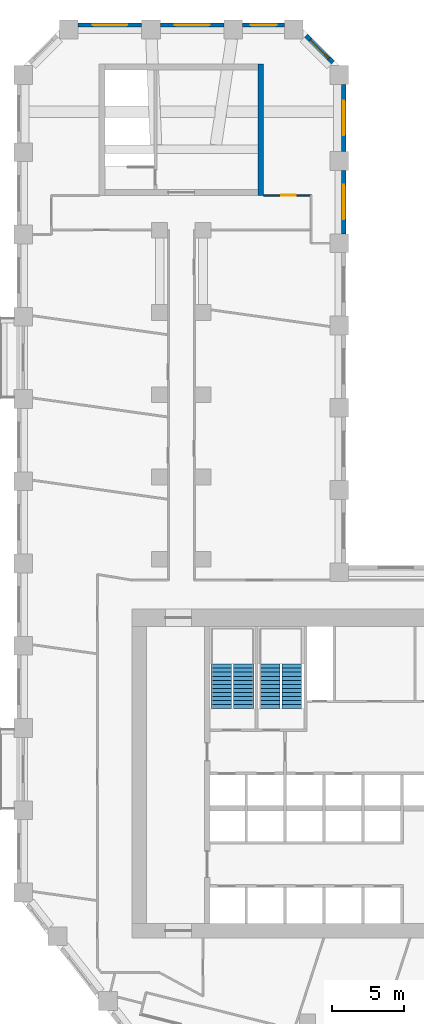
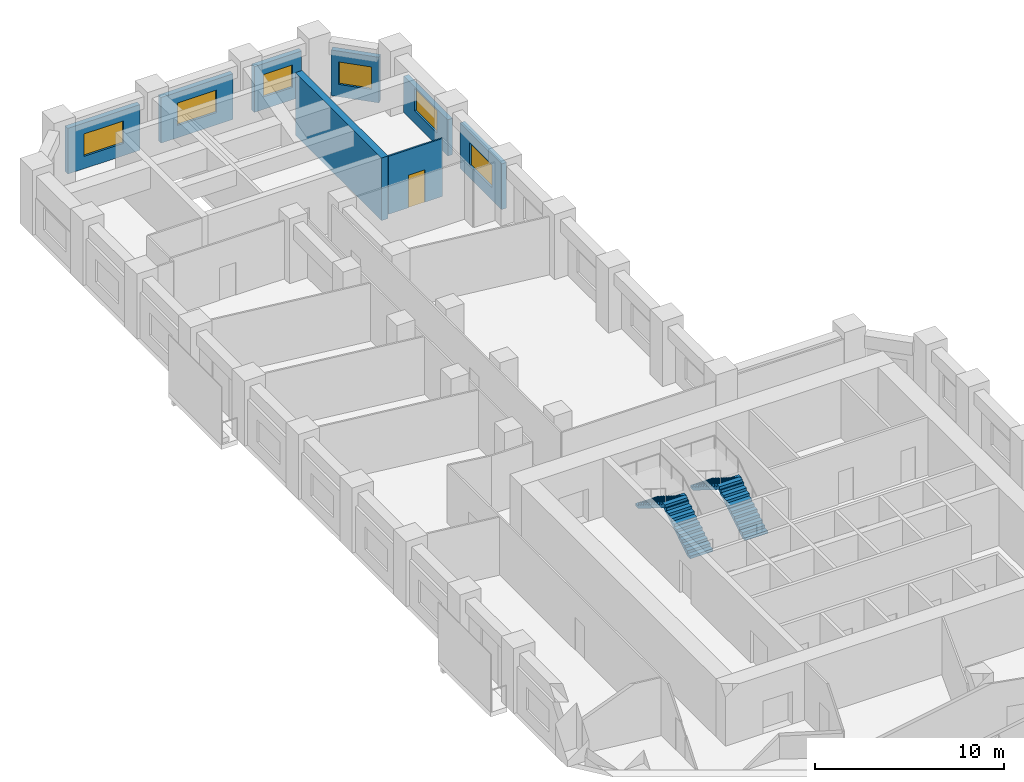
# One storey, part 9 of 11: 8 walls, 6 windows, 4 stair flights, 1 door, 7 openings, 2 elements without a shape of their own.
"""IFC4 building model written with IfcOpenShell, lengths in metres."""

from ifc_helpers import new_model, si_unit, direction, frame, frame_2d, origin, place, context, subcontext, project, spatial, polyline, rectangle, outline, extrude, material, layer, layer_set, type_object, element, fill, aggregate, save


model = new_model("IFC4")

# Units and contexts
model_context = context("Model", 3, precision=1e-05, world=origin(), true_north=direction((0.0, 1.0)))
body_context = subcontext(model_context, "Body", "Model", "MODEL_VIEW")
ifc_project = project(units=[si_unit("LENGTHUNIT", "METRE"), si_unit("AREAUNIT", "SQUARE_METRE"), si_unit("VOLUMEUNIT", "CUBIC_METRE"), si_unit("PLANEANGLEUNIT", "RADIAN"), si_unit("MASSUNIT", "GRAM", prefix="KILO")], contexts=[model_context])

# Site, building, storey
site_placement = place(None, origin())
site = spatial("IfcSite", under=ifc_project, at=site_placement, CompositionType="ELEMENT")
building_placement = place(site_placement, origin())
building = spatial("IfcBuilding", under=site, at=building_placement, Name="Meshkara Civic Tower", CompositionType="ELEMENT")
storey_placement = place(building_placement, frame((0.0, 0.0, 151.800048828125)))
storey = spatial("IfcBuildingStorey", under=building, at=storey_placement, Name="L34", CompositionType="ELEMENT", Elevation=151.800048828125)

# Wall, opening, door
ifc_material_1 = material(Name="Corridor wall 100")
ifc_layer_1 = layer(ifc_material_1, 0.10009765625)
ifc_layer_set_1 = layer_set([ifc_layer_1], Name="Corridor wall 100")
wall_type_1 = type_object("IfcWallType", Name="Corridor wall 100", PredefinedType="PARTITIONING", material=ifc_layer_set_1)
wall_1_placement = place(storey_placement, frame((20.39990234375, 65.570068359375, 0.0), z_axis=(0.0, 0.0, 1.0), x_axis=(-1.0, 0.0, 0.0)))
wall_1 = element("IfcWall", 1, at=wall_1_placement, inside=storey, type_object=wall_type_1, Name="L34-W018", PredefinedType="PARTITIONING", context=body_context, shape_type="SweptSolid", body=[
    extrude(rectangle(XDim=3.2998046875, YDim=0.10009765625, at=frame_2d((1.64990234375, 0.0))), origin(), (0.0, 0.0, 1.0), 3.75),
])
opening_1_placement = place(wall_1_placement, frame((1.080078125, 0.0, 0.0)))
opening_1 = element("IfcOpeningElement", 2, at=opening_1_placement, cuts=wall_1, Name="Opening L34-D026", PredefinedType="OPENING", context=body_context, shape_type="SweptSolid", body=[
    extrude(rectangle(XDim=1.0, YDim=2.10009765625, at=frame_2d((0.5, 1.050048828125))), frame((0.0, 0.06005859375, 0.0), z_axis=(0.0, -1.0, 0.0), x_axis=(1.0, 0.0, 0.0)), (0.0, 0.0, 1.0), 0.1201171875),
])
ifc_material_2 = material(Name="Door 1000 x 2100")
door_type = type_object("IfcDoorType", Name="Door 1000 x 2100", OperationType="SINGLE_SWING_LEFT", PredefinedType="DOOR", material=ifc_material_2)
door_placement = place(opening_1_placement, origin())
door = element("IfcDoor", 3, at=door_placement, inside=storey, type_object=door_type, Name="L34-D026", OperationType="SINGLE_SWING_RIGHT", OverallHeight=2.10009765625, OverallWidth=1.0, PredefinedType="DOOR", context=body_context, shape_type="SweptSolid", body=[
    extrude(rectangle(XDim=1.0, YDim=2.10009765625, at=frame_2d((0.5, 1.050048828125))), frame((0.0, 0.02490234375, 0.0), z_axis=(0.0, -1.0, 0.0), x_axis=(1.0, 0.0, 0.0)), (0.0, 0.0, 1.0), 0.050048828125),
])
fill(opening_1, door)

# Wall, opening, window
ifc_material_3 = material(Name="Insulated infill panel with bronze anodised aluminium cladding", Category="aluminium")
ifc_layer_2 = layer(ifc_material_3, 0.300048828125)
ifc_layer_set_2 = layer_set([ifc_layer_2], Name="EXTERNAL INFILL WALL 300")
wall_type_2 = type_object("IfcWallType", Name="EXTERNAL INFILL WALL 300", PredefinedType="SOLIDWALL", material=ifc_layer_set_2)
wall_2_placement = place(storey_placement, frame((22.64990234375, 62.89990234375, 0.0), z_axis=(0.0, 0.0, 1.0), x_axis=(0.0, 1.0, 0.0)))
wall_2 = element("IfcWall", 4, at=wall_2_placement, inside=storey, type_object=wall_type_2, Name="External wall", PredefinedType="SOLIDWALL", context=body_context, shape_type="SweptSolid", body=[
    extrude(rectangle(XDim=4.400146484375, YDim=0.300048828125, at=frame_2d((2.2001953125, 0.0))), origin(), (0.0, 0.0, 1.0), 2.949951171875),
])
opening_2_placement = place(wall_2_placement, frame((1.0, 0.0, 0.800048828125)))
opening_2 = element("IfcOpeningElement", 5, at=opening_2_placement, cuts=wall_2, Name="Opening W8", PredefinedType="OPENING", context=body_context, shape_type="SweptSolid", body=[
    extrude(rectangle(XDim=2.39990234375, YDim=1.449951171875, at=frame_2d((1.199951171875, 0.72509765625))), frame((0.0, 0.159912109375, 0.0), z_axis=(0.0, -1.0, 0.0), x_axis=(1.0, 0.0, 0.0)), (0.0, 0.0, 1.0), 0.320068359375),
])
ifc_material_4 = material(Name="Tinted double glazing", Category="glass")
window_type_1 = type_object("IfcWindowType", Name="WINDOW 2400x1450", PartitioningType="DOUBLE_PANEL_VERTICAL", PredefinedType="WINDOW", material=ifc_material_4)
window_1_placement = place(opening_2_placement, origin())
window_1 = element("IfcWindow", 6, at=window_1_placement, inside=storey, type_object=window_type_1, Name="Window", OverallHeight=1.449951171875, OverallWidth=2.39990234375, PartitioningType="DOUBLE_PANEL_VERTICAL", PredefinedType="WINDOW", context=body_context, shape_type="SweptSolid", body=[
    extrude(rectangle(XDim=2.39990234375, YDim=1.449951171875, at=frame_2d((1.199951171875, 0.72509765625))), frame((0.0, 0.030029296875, 0.0), z_axis=(0.0, -1.0, 0.0), x_axis=(1.0, 0.0, 0.0)), (0.0, 0.0, 1.0), 0.06005859375),
])
fill(opening_2, window_1)

wall_3_placement = place(storey_placement, frame((22.64990234375, 68.60009765625, 0.0), z_axis=(0.0, 0.0, 1.0), x_axis=(0.0, 1.0, 0.0)))
wall_3 = element("IfcWall", 7, at=wall_3_placement, inside=storey, type_object=wall_type_2, Name="External wall", PredefinedType="SOLIDWALL", context=body_context, shape_type="SweptSolid", body=[
    extrude(rectangle(XDim=4.663818359375, YDim=0.300048828125, at=frame_2d((2.33203125, 0.0))), origin(), (0.0, 0.0, 1.0), 2.349853515625),
])
opening_3_placement = place(wall_3_placement, frame((1.132080078125, 0.0, 0.800048828125)))
opening_3 = element("IfcOpeningElement", 8, at=opening_3_placement, cuts=wall_3, Name="Opening W8", PredefinedType="OPENING", context=body_context, shape_type="SweptSolid", body=[
    extrude(rectangle(XDim=2.39990234375, YDim=1.449951171875, at=frame_2d((1.199951171875, 0.72509765625))), frame((0.0, 0.159912109375, 0.0), z_axis=(0.0, -1.0, 0.0), x_axis=(1.0, 0.0, 0.0)), (0.0, 0.0, 1.0), 0.320068359375),
])
window_2_placement = place(opening_3_placement, origin())
window_2 = element("IfcWindow", 9, at=window_2_placement, inside=storey, type_object=window_type_1, Name="Window", OverallHeight=1.449951171875, OverallWidth=2.39990234375, PartitioningType="DOUBLE_PANEL_VERTICAL", PredefinedType="WINDOW", context=body_context, shape_type="SweptSolid", body=[
    extrude(rectangle(XDim=2.39990234375, YDim=1.449951171875, at=frame_2d((1.199951171875, 0.72509765625))), frame((0.0, 0.030029296875, 0.0), z_axis=(0.0, -1.0, 0.0), x_axis=(1.0, 0.0, 0.0)), (0.0, 0.0, 1.0), 0.06005859375),
])
fill(opening_3, window_2)

wall_4_placement = place(storey_placement, frame((21.912109375, 74.77587890625, 0.0), z_axis=(0.0, 0.0, 1.0), x_axis=(-0.707106781187, 0.707106781187, 0.0)))
wall_4 = element("IfcWall", 10, at=wall_4_placement, inside=storey, type_object=wall_type_2, Name="External wall", PredefinedType="SOLIDWALL", context=body_context, shape_type="SweptSolid", body=[
    extrude(rectangle(XDim=2.625, YDim=0.300048828125, at=frame_2d((1.3125, 0.0))), origin(), (0.0, 0.0, 1.0), 2.949951171875),
])
opening_4_placement = place(wall_4_placement, frame((0.412109375, 0.0, 0.800048828125)))
opening_4 = element("IfcOpeningElement", 11, at=opening_4_placement, cuts=wall_4, Name="Opening W10", PredefinedType="OPENING", context=body_context, shape_type="SweptSolid", body=[
    extrude(rectangle(XDim=1.800048828125, YDim=1.449951171875, at=frame_2d((0.89990234375, 0.72509765625))), frame((0.0, 0.159912109375, 0.0), z_axis=(0.0, -1.0, 0.0), x_axis=(1.0, 0.0, 0.0)), (0.0, 0.0, 1.0), 0.320068359375),
])
ifc_material_5 = material(Name="Tinted double glazing", Category="glass")
window_type_2 = type_object("IfcWindowType", Name="WINDOW 1800x1450", PartitioningType="DOUBLE_PANEL_VERTICAL", PredefinedType="WINDOW", material=ifc_material_5)
window_3_placement = place(opening_4_placement, origin())
window_3 = element("IfcWindow", 12, at=window_3_placement, inside=storey, type_object=window_type_2, Name="Window", OverallHeight=1.449951171875, OverallWidth=1.800048828125, PartitioningType="DOUBLE_PANEL_VERTICAL", PredefinedType="WINDOW", context=body_context, shape_type="SweptSolid", body=[
    extrude(rectangle(XDim=1.800048828125, YDim=1.449951171875, at=frame_2d((0.89990234375, 0.72509765625))), frame((0.0, 0.030029296875, 0.0), z_axis=(0.0, -1.0, 0.0), x_axis=(1.0, 0.0, 0.0)), (0.0, 0.0, 1.0), 0.06005859375),
])
fill(opening_4, window_3)

wall_5_placement = place(storey_placement, frame((18.5439453125, 77.3701171875, 0.0), z_axis=(0.0, 0.0, 1.0), x_axis=(-1.0, 0.0, 0.0)))
wall_5 = element("IfcWall", 13, at=wall_5_placement, inside=storey, type_object=wall_type_2, Name="External wall", PredefinedType="SOLIDWALL", context=body_context, shape_type="SweptSolid", body=[
    extrude(rectangle(XDim=2.887939453125, YDim=0.300048828125, at=frame_2d((1.44384765625, 0.0))), origin(), (0.0, 0.0, 1.0), 2.949951171875),
])
opening_5_placement = place(wall_5_placement, frame((0.5439453125, 0.0, 0.800048828125)))
opening_5 = element("IfcOpeningElement", 14, at=opening_5_placement, cuts=wall_5, Name="Opening W10", PredefinedType="OPENING", context=body_context, shape_type="SweptSolid", body=[
    extrude(rectangle(XDim=1.800048828125, YDim=1.449951171875, at=frame_2d((0.89990234375, 0.72509765625))), frame((0.0, 0.159912109375, 0.0), z_axis=(0.0, -1.0, 0.0), x_axis=(1.0, 0.0, 0.0)), (0.0, 0.0, 1.0), 0.320068359375),
])
window_4_placement = place(opening_5_placement, origin())
window_4 = element("IfcWindow", 15, at=window_4_placement, inside=storey, type_object=window_type_2, Name="Window", OverallHeight=1.449951171875, OverallWidth=1.800048828125, PartitioningType="DOUBLE_PANEL_VERTICAL", PredefinedType="WINDOW", context=body_context, shape_type="SweptSolid", body=[
    extrude(rectangle(XDim=1.800048828125, YDim=1.449951171875, at=frame_2d((0.89990234375, 0.72509765625))), frame((0.0, 0.030029296875, 0.0), z_axis=(0.0, -1.0, 0.0), x_axis=(1.0, 0.0, 0.0)), (0.0, 0.0, 1.0), 0.06005859375),
])
fill(opening_5, window_4)

wall_6_placement = place(storey_placement, frame((14.35595703125, 77.3701171875, 0.0), z_axis=(0.0, 0.0, 1.0), x_axis=(-1.0, 0.0, 0.0)))
wall_6 = element("IfcWall", 16, at=wall_6_placement, inside=storey, type_object=wall_type_2, Name="External wall", PredefinedType="SOLIDWALL", context=body_context, shape_type="SweptSolid", body=[
    extrude(rectangle(XDim=4.39990234375, YDim=0.300048828125, at=frame_2d((2.199951171875, 0.0))), origin(), (0.0, 0.0, 1.0), 2.949951171875),
])
opening_6_placement = place(wall_6_placement, frame((1.0, 0.0, 0.800048828125)))
opening_6 = element("IfcOpeningElement", 17, at=opening_6_placement, cuts=wall_6, Name="Opening W8", PredefinedType="OPENING", context=body_context, shape_type="SweptSolid", body=[
    extrude(rectangle(XDim=2.39990234375, YDim=1.449951171875, at=frame_2d((1.199951171875, 0.72509765625))), frame((0.0, 0.159912109375, 0.0), z_axis=(0.0, -1.0, 0.0), x_axis=(1.0, 0.0, 0.0)), (0.0, 0.0, 1.0), 0.320068359375),
])
window_5_placement = place(opening_6_placement, origin())
window_5 = element("IfcWindow", 18, at=window_5_placement, inside=storey, type_object=window_type_1, Name="Window", OverallHeight=1.449951171875, OverallWidth=2.39990234375, PartitioningType="DOUBLE_PANEL_VERTICAL", PredefinedType="WINDOW", context=body_context, shape_type="SweptSolid", body=[
    extrude(rectangle(XDim=2.39990234375, YDim=1.449951171875, at=frame_2d((1.199951171875, 0.72509765625))), frame((0.0, 0.030029296875, 0.0), z_axis=(0.0, -1.0, 0.0), x_axis=(1.0, 0.0, 0.0)), (0.0, 0.0, 1.0), 0.06005859375),
])
fill(opening_6, window_5)

wall_7_placement = place(storey_placement, frame((8.656005859375, 77.3701171875, 0.0), z_axis=(0.0, 0.0, 1.0), x_axis=(-1.0, 0.0, 0.0)))
wall_7 = element("IfcWall", 19, at=wall_7_placement, inside=storey, type_object=wall_type_2, Name="External wall", PredefinedType="SOLIDWALL", context=body_context, shape_type="SweptSolid", body=[
    extrude(rectangle(XDim=4.39990234375, YDim=0.300048828125, at=frame_2d((2.199951171875, 0.0))), origin(), (0.0, 0.0, 1.0), 2.949951171875),
])
opening_7_placement = place(wall_7_placement, frame((1.0, 0.0, 0.800048828125)))
opening_7 = element("IfcOpeningElement", 20, at=opening_7_placement, cuts=wall_7, Name="Opening W8", PredefinedType="OPENING", context=body_context, shape_type="SweptSolid", body=[
    extrude(rectangle(XDim=2.39990234375, YDim=1.449951171875, at=frame_2d((1.199951171875, 0.72509765625))), frame((0.0, 0.159912109375, 0.0), z_axis=(0.0, -1.0, 0.0), x_axis=(1.0, 0.0, 0.0)), (0.0, 0.0, 1.0), 0.320068359375),
])
window_6_placement = place(opening_7_placement, origin())
window_6 = element("IfcWindow", 21, at=window_6_placement, inside=storey, type_object=window_type_1, Name="Window", OverallHeight=1.449951171875, OverallWidth=2.39990234375, PartitioningType="DOUBLE_PANEL_VERTICAL", PredefinedType="WINDOW", context=body_context, shape_type="SweptSolid", body=[
    extrude(rectangle(XDim=2.39990234375, YDim=1.449951171875, at=frame_2d((1.199951171875, 0.72509765625))), frame((0.0, 0.030029296875, 0.0), z_axis=(0.0, -1.0, 0.0), x_axis=(1.0, 0.0, 0.0)), (0.0, 0.0, 1.0), 0.06005859375),
])
fill(opening_7, window_6)

# Wall
ifc_material_6 = material(Name="Concrete C70", Category="concrete")
ifc_layer_3 = layer(ifc_material_6, 0.39990234375)
ifc_layer_set_3 = layer_set([ifc_layer_3], Name="End core ring wall 400 C70")
wall_type_3 = type_object("IfcWallType", Name="End core ring wall 400 C70", PredefinedType="SHEAR", material=ifc_layer_set_3)
wall_8_placement = place(storey_placement, frame((16.89990234375, 65.570068359375, -0.300048828125), z_axis=(0.0, 0.0, 1.0), x_axis=(0.0, 1.0, 0.0)))
element("IfcWall", 22, at=wall_8_placement, inside=storey, type_object=wall_type_3, Name="L34-C027", PredefinedType="SHEAR", context=body_context, shape_type="SweptSolid", body=[
    extrude(rectangle(XDim=9.099853515625, YDim=0.39990234375, at=frame_2d((4.5498046875, 0.0))), origin(), (0.0, 0.0, 1.0), 4.050048828125),
])

# Stair, stair flights
ifc_material_7 = material(Name="Precast concrete C40/50", Category="concrete")
stair_type = type_object("IfcStairType", Name="Exit stair half-turn 24 risers precast", PredefinedType="HALF_TURN_STAIR", material=ifc_material_7)
stair_1_placement = place(storey_placement, origin())
stair_1 = element("IfcStair", 23, at=stair_1_placement, inside=storey, type_object=stair_type, Name="L34 exit stair 1", PredefinedType="HALF_TURN_STAIR")
ifc_material_8 = material(Name="Precast concrete C40/50", Category="concrete")
stair_flight_type = type_object("IfcStairFlightType", Name="Exit stair flight 12 risers precast", PredefinedType="STRAIGHT", material=ifc_material_8)
stair_flight_1_placement = place(storey_placement, frame((15.72509765625, 30.0, 0.0), z_axis=(0.0, 0.0, 1.0), x_axis=(0.0, 1.0, 0.0)))
stair_flight_1 = element("IfcStairFlight", 24, at=stair_flight_1_placement, type_object=stair_flight_type, Name="ST1 flight 1", NumberOfRisers=12, NumberOfTreads=11, PredefinedType="STRAIGHT", RiserHeight=0.175, TreadLength=0.28, context=body_context, shape_type="SweptSolid", body=[
    extrude(outline(polyline([(0.0, 0.0), (0.0, 0.175048828125), (0.280029296875, 0.175048828125), (0.280029296875, 0.35009765625), (0.56005859375, 0.35009765625), (0.56005859375, 0.52490234375), (0.840087890625, 0.52490234375), (0.840087890625, 0.699951171875), (1.1201171875, 0.699951171875), (1.1201171875, 0.875), (1.39990234375, 0.875), (1.39990234375, 1.050048828125), (1.679931640625, 1.050048828125), (1.679931640625, 1.22509765625), (1.9599609375, 1.22509765625), (1.9599609375, 1.39990234375), (2.239990234375, 1.39990234375), (2.239990234375, 1.574951171875), (2.52001953125, 1.574951171875), (2.52001953125, 1.75), (2.800048828125, 1.75), (2.800048828125, 1.925048828125), (3.080078125, 1.925048828125), (3.080078125, 2.10009765625), (3.080078125, 1.748291015625), (0.28271484375, 0.0), (0.0, 0.0)])), frame((0.0, 0.699951171875, 0.0), z_axis=(0.0, -1.0, 0.0), x_axis=(1.0, 0.0, 0.0)), (0.0, 0.0, 1.0), 1.39990234375),
])
stair_flight_2_placement = place(storey_placement, frame((14.175048828125, 33.080078125, 2.099853515625), z_axis=(0.0, 0.0, 1.0), x_axis=(0.0, -1.0, 0.0)))
stair_flight_2 = element("IfcStairFlight", 25, at=stair_flight_2_placement, type_object=stair_flight_type, Name="ST1 flight 2", NumberOfRisers=12, NumberOfTreads=11, PredefinedType="STRAIGHT", RiserHeight=0.175, TreadLength=0.28, context=body_context, shape_type="SweptSolid", body=[
    extrude(outline(polyline([(0.0, 0.0), (0.0, 0.175048828125), (0.280029296875, 0.175048828125), (0.280029296875, 0.35009765625), (0.56005859375, 0.35009765625), (0.56005859375, 0.52490234375), (0.840087890625, 0.52490234375), (0.840087890625, 0.699951171875), (1.1201171875, 0.699951171875), (1.1201171875, 0.875), (1.39990234375, 0.875), (1.39990234375, 1.050048828125), (1.679931640625, 1.050048828125), (1.679931640625, 1.22509765625), (1.9599609375, 1.22509765625), (1.9599609375, 1.39990234375), (2.239990234375, 1.39990234375), (2.239990234375, 1.574951171875), (2.52001953125, 1.574951171875), (2.52001953125, 1.75), (2.800048828125, 1.75), (2.800048828125, 1.925048828125), (3.080078125, 1.925048828125), (3.080078125, 2.10009765625), (3.080078125, 1.748291015625), (0.28271484375, 0.0), (0.0, 0.0)])), frame((0.0, 0.699951171875, 0.0), z_axis=(0.0, -1.0, 0.0), x_axis=(1.0, 0.0, 0.0)), (0.0, 0.0, 1.0), 1.39990234375),
])
aggregate(stair_1, [stair_flight_1, stair_flight_2])

stair_2_placement = place(storey_placement, origin())
stair_2 = element("IfcStair", 26, at=stair_2_placement, inside=storey, type_object=stair_type, Name="L34 exit stair 2", PredefinedType="HALF_TURN_STAIR")
stair_flight_3_placement = place(storey_placement, frame((19.074951171875, 30.0, 0.0), z_axis=(0.0, 0.0, 1.0), x_axis=(0.0, 1.0, 0.0)))
stair_flight_3 = element("IfcStairFlight", 27, at=stair_flight_3_placement, type_object=stair_flight_type, Name="ST2 flight 1", NumberOfRisers=12, NumberOfTreads=11, PredefinedType="STRAIGHT", RiserHeight=0.175, TreadLength=0.28, context=body_context, shape_type="SweptSolid", body=[
    extrude(outline(polyline([(0.0, 0.0), (0.0, 0.175048828125), (0.280029296875, 0.175048828125), (0.280029296875, 0.35009765625), (0.56005859375, 0.35009765625), (0.56005859375, 0.52490234375), (0.840087890625, 0.52490234375), (0.840087890625, 0.699951171875), (1.1201171875, 0.699951171875), (1.1201171875, 0.875), (1.39990234375, 0.875), (1.39990234375, 1.050048828125), (1.679931640625, 1.050048828125), (1.679931640625, 1.22509765625), (1.9599609375, 1.22509765625), (1.9599609375, 1.39990234375), (2.239990234375, 1.39990234375), (2.239990234375, 1.574951171875), (2.52001953125, 1.574951171875), (2.52001953125, 1.75), (2.800048828125, 1.75), (2.800048828125, 1.925048828125), (3.080078125, 1.925048828125), (3.080078125, 2.10009765625), (3.080078125, 1.748291015625), (0.28271484375, 0.0), (0.0, 0.0)])), frame((0.0, 0.699951171875, 0.0), z_axis=(0.0, -1.0, 0.0), x_axis=(1.0, 0.0, 0.0)), (0.0, 0.0, 1.0), 1.39990234375),
])
stair_flight_4_placement = place(storey_placement, frame((17.52490234375, 33.080078125, 2.099853515625), z_axis=(0.0, 0.0, 1.0), x_axis=(0.0, -1.0, 0.0)))
stair_flight_4 = element("IfcStairFlight", 28, at=stair_flight_4_placement, type_object=stair_flight_type, Name="ST2 flight 2", NumberOfRisers=12, NumberOfTreads=11, PredefinedType="STRAIGHT", RiserHeight=0.175, TreadLength=0.28, context=body_context, shape_type="SweptSolid", body=[
    extrude(outline(polyline([(0.0, 0.0), (0.0, 0.175048828125), (0.280029296875, 0.175048828125), (0.280029296875, 0.35009765625), (0.56005859375, 0.35009765625), (0.56005859375, 0.52490234375), (0.840087890625, 0.52490234375), (0.840087890625, 0.699951171875), (1.1201171875, 0.699951171875), (1.1201171875, 0.875), (1.39990234375, 0.875), (1.39990234375, 1.050048828125), (1.679931640625, 1.050048828125), (1.679931640625, 1.22509765625), (1.9599609375, 1.22509765625), (1.9599609375, 1.39990234375), (2.239990234375, 1.39990234375), (2.239990234375, 1.574951171875), (2.52001953125, 1.574951171875), (2.52001953125, 1.75), (2.800048828125, 1.75), (2.800048828125, 1.925048828125), (3.080078125, 1.925048828125), (3.080078125, 2.10009765625), (3.080078125, 1.748291015625), (0.28271484375, 0.0), (0.0, 0.0)])), frame((0.0, 0.699951171875, 0.0), z_axis=(0.0, -1.0, 0.0), x_axis=(1.0, 0.0, 0.0)), (0.0, 0.0, 1.0), 1.39990234375),
])
aggregate(stair_2, [stair_flight_3, stair_flight_4])

save(model, "model.ifc")
